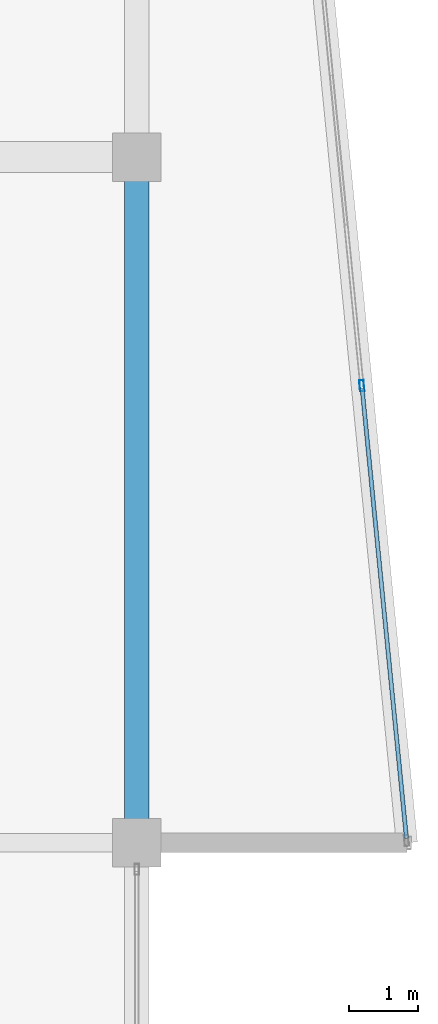
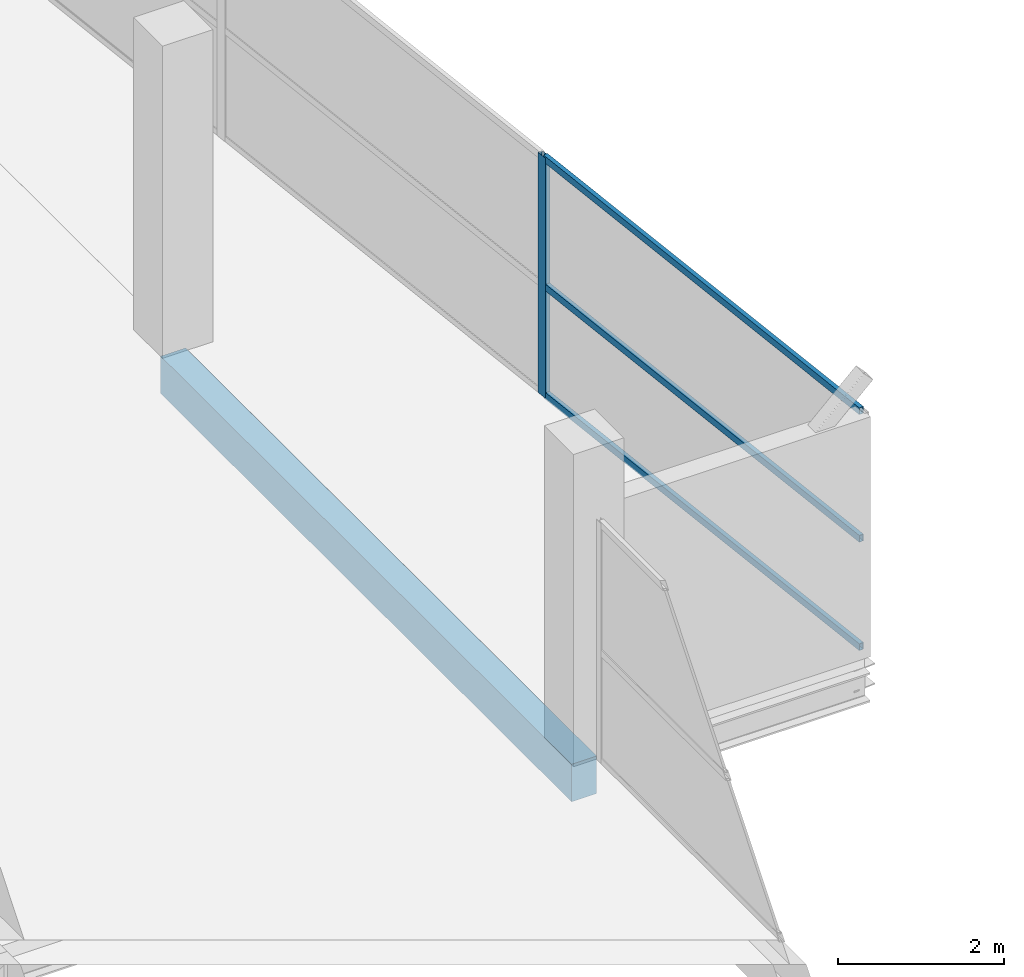
# One storey, part 27 of 55: 4 members, 1 beam, 1 element without a shape of its own.
"""IFC4 building model written with IfcOpenShell, lengths in metres."""

import ifcopenshell
import ifcopenshell.guid

model = None  # the IFC model being written
_history = None  # IfcOwnerHistory: only IFC2X3 demands one
_inside = {}  # id of a spatial element -> (the spatial element, [elements in it])
_under = {}  # id of a project, library or spatial element -> (it, [spatial elements below it])
_declared = {}  # id of a project -> (the project, [libraries it declares])
_typed = {}  # id of a type object -> (the type object, [elements of that type])
_made_of = {}  # id of a material, layer set ... -> (it, [elements and type objects made of it])


def new_model(schema):
    """Start an empty IFC model of exactly this schema.

    Asked for "IFC4X3", IfcOpenShell would pick the latest addendum, in which some entities
    have other attributes; the version numbers below select the first issue.
    IFC2X3 requires an IfcOwnerHistory on every rooted entity: one is made here for all.
    """
    global model, _history
    if schema == "IFC4X3":
        model = ifcopenshell.file(schema_version=(4, 3, 0, 0))
    else:
        model = ifcopenshell.file(schema=schema)
    _inside.clear()
    _under.clear()
    _declared.clear()
    _typed.clear()
    _made_of.clear()
    _history = None
    if model.schema == "IFC2X3":
        org = make("IfcOrganization", Name="unknown")
        user = make(
            "IfcPersonAndOrganization",
            ThePerson=make("IfcPerson", FamilyName="unknown"),
            TheOrganization=org,
        )
        app = make(
            "IfcApplication",
            ApplicationDeveloper=org,
            Version="unknown",
            ApplicationFullName="unknown",
            ApplicationIdentifier="unknown",
        )
        _history = make(
            "IfcOwnerHistory",
            OwningUser=user,
            OwningApplication=app,
            ChangeAction="ADDED",
            CreationDate=0,
        )
    return model


def make(cls, **values):
    """One entity of the class cls with the attributes given. An attribute that is None is left unset."""
    return model.create_entity(
        cls, **{name: value for name, value in values.items() if value is not None}
    )


def rooted(cls, **values):
    """An entity with a GlobalId (a new one), such as an element, a storey or a relation."""
    return make(cls, GlobalId=ifcopenshell.guid.new(), OwnerHistory=_history, **values)


def si_unit(unit_type, name, prefix=None):
    """IfcSIUnit, for example si_unit("LENGTHUNIT", "METRE", prefix="MILLI")."""
    return make("IfcSIUnit", UnitType=unit_type, Prefix=prefix, Name=name)


def assignment(units):
    """IfcUnitAssignment: the units of a project."""
    return None if units is None else make("IfcUnitAssignment", Units=units)


def point(xyz):
    """IfcCartesianPoint."""
    return None if xyz is None else make("IfcCartesianPoint", Coordinates=xyz)


def direction(xyz):
    """IfcDirection."""
    return None if xyz is None else make("IfcDirection", DirectionRatios=xyz)


def frame(location, z_axis=None, x_axis=None):
    """IfcAxis2Placement3D, a coordinate frame: its origin and axes. An axis left out is left unset."""
    return make(
        "IfcAxis2Placement3D",
        Location=point(location),
        Axis=direction(z_axis),
        RefDirection=direction(x_axis),
    )


def frame_2d(location, x_axis=None):
    """IfcAxis2Placement2D, a coordinate frame in the plane: its origin and x axis."""
    return make(
        "IfcAxis2Placement2D", Location=point(location), RefDirection=direction(x_axis)
    )


def origin():
    """The frame at (0, 0, 0) with its axes left unset."""
    return frame((0.0, 0.0, 0.0))


def origin_2d():
    """The frame at (0, 0) in the plane with its x axis left unset."""
    return frame_2d((0.0, 0.0))


def place(relative_to, where):
    """IfcLocalPlacement: puts the frame where relative to a parent placement (None: the world)."""
    return make(
        "IfcLocalPlacement", PlacementRelTo=relative_to, RelativePlacement=where
    )


def context(
    kind, dimensions, precision=None, world=None, true_north=None, identifier=None
):
    """IfcGeometricRepresentationContext, for example the 3D "Model" context."""
    return make(
        "IfcGeometricRepresentationContext",
        ContextIdentifier=identifier,
        ContextType=kind,
        CoordinateSpaceDimension=dimensions,
        Precision=precision,
        WorldCoordinateSystem=world,
        TrueNorth=true_north,
    )


def subcontext(parent, identifier, kind, view, scale=None):
    """IfcGeometricRepresentationSubContext, for example "Body" below "Model"."""
    return make(
        "IfcGeometricRepresentationSubContext",
        ContextIdentifier=identifier,
        ContextType=kind,
        ParentContext=parent,
        TargetScale=scale,
        TargetView=view,
    )


def project(units=None, contexts=None):
    """IfcProject with its units and contexts."""
    return rooted(
        "IfcProject",
        Name="project",
        RepresentationContexts=contexts,
        UnitsInContext=assignment(units),
    )


def spatial(cls, under=None, at=None, **own):
    """A site, building, storey or space (cls), placed at a placement, below another one or the project."""
    s = rooted(cls, ObjectPlacement=at, **own)
    if under is not None:
        _under.setdefault(under.id(), (under, []))[1].append(s)
    return s


def profile(cls, at=None, kind="AREA", **sizes):
    """A parametric profile (cls). Its sizes go by their IFC names, for example OverallWidth=200.0."""
    return make(cls, ProfileType=kind, Position=at, **sizes)


def rectangle(**sizes):
    """IfcRectangleProfileDef."""
    return profile("IfcRectangleProfileDef", **sizes)


def hollow_rectangle(**sizes):
    """IfcRectangleHollowProfileDef."""
    return profile("IfcRectangleHollowProfileDef", **sizes)


def extrude(swept, where, along, depth):
    """IfcExtrudedAreaSolid: the profile swept, set in the frame where, extruded along a direction by depth."""
    return make(
        "IfcExtrudedAreaSolid",
        SweptArea=swept,
        Position=where,
        ExtrudedDirection=direction(along),
        Depth=depth,
    )


def shape(context_of_items, identifier, shape_type, items):
    """IfcShapeRepresentation: the items that make up one representation, for example the "Body"."""
    return make(
        "IfcShapeRepresentation",
        ContextOfItems=context_of_items,
        RepresentationIdentifier=identifier,
        RepresentationType=shape_type,
        Items=items,
    )


def material(Name=None, Category=None):
    """IfcMaterial."""
    return make("IfcMaterial", Name=Name, Category=Category)


def layer(
    of_material, thickness, ventilated=None, Name=None, Category=None, Priority=None
):
    """IfcMaterialLayer: one layer of a wall or slab, of a material (None: an air gap)."""
    return make(
        "IfcMaterialLayer",
        Material=of_material,
        LayerThickness=thickness,
        IsVentilated=ventilated,
        Name=Name,
        Category=Category,
        Priority=Priority,
    )


def layer_set(layers, Name=None):
    """IfcMaterialLayerSet."""
    return make("IfcMaterialLayerSet", MaterialLayers=layers, LayerSetName=Name)


def material_profile(
    of_material, cross_section, Name=None, Category=None, Priority=None
):
    """IfcMaterialProfile: a cross section and its material."""
    return make(
        "IfcMaterialProfile",
        Name=Name,
        Material=of_material,
        Profile=cross_section,
        Priority=Priority,
        Category=Category,
    )


def profile_set(profiles, Name=None, composite=None):
    """IfcMaterialProfileSet."""
    return make(
        "IfcMaterialProfileSet",
        Name=Name,
        MaterialProfiles=profiles,
        CompositeProfile=composite,
    )


def made_of(thing, what):
    """Note that an element or type object is made of a material, layer set ...; save() writes the relation."""
    if what is not None:
        _made_of.setdefault(what.id(), (what, []))[1].append(thing)
    return thing


def type_object(cls, material=None, **own):
    """A type object (cls), such as IfcWallType, which elements share."""
    return made_of(rooted(cls, **own), material)


def element(
    cls,
    number,
    at=None,
    inside=None,
    cuts=None,
    type_object=None,
    material=None,
    context=None,
    identifier="Body",
    shape_type=None,
    held_by="IfcProductDefinitionShape",
    body=None,
    shapes=None,
    **own,
):
    """One element of the class cls, such as IfcWall. Its Tag is "e" and its number.

    at: its placement. inside: the storey or other place that contains it. cuts: it is an
    opening in that element (IfcRelVoidsElement). A single representation is given by context,
    identifier, shape_type and body (its items); several are given by shapes. held_by: the class
    of the entity that holds the representations. save() writes the other relations.
    """
    e = rooted(cls, Tag="e%d" % number, ObjectPlacement=at, **own)
    if body is not None:
        shapes = [shape(context, identifier, shape_type, body)]
    if shapes is not None:
        e.Representation = make(held_by, Representations=shapes)
    if inside is not None:
        _inside.setdefault(inside.id(), (inside, []))[1].append(e)
    if cuts is not None:
        rooted(
            "IfcRelVoidsElement", RelatingBuildingElement=cuts, RelatedOpeningElement=e
        )
    if type_object is not None:
        _typed.setdefault(type_object.id(), (type_object, []))[1].append(e)
    return made_of(e, material)


def aggregate(whole, parts):
    """IfcRelAggregates: a whole, such as a stair, and the parts it consists of."""
    return rooted("IfcRelAggregates", RelatingObject=whole, RelatedObjects=parts)


def save(model, path):
    """Write the relations noted so far, then the file.

    IfcRelAggregates (storeys below a building ...), IfcRelContainedInSpatialStructure (elements
    in a storey), IfcRelDefinesByType, IfcRelAssociatesMaterial and IfcRelDeclares: one each for
    every whole, place, type object, material and project.
    """
    for whole, parts in _under.values():
        aggregate(whole, parts)
    for where, things in _inside.values():
        rooted(
            "IfcRelContainedInSpatialStructure",
            RelatedElements=things,
            RelatingStructure=where,
        )
    for kind, things in _typed.values():
        rooted("IfcRelDefinesByType", RelatedObjects=things, RelatingType=kind)
    for what, things in _made_of.values():
        rooted("IfcRelAssociatesMaterial", RelatedObjects=things, RelatingMaterial=what)
    for by, libraries in _declared.values():
        rooted("IfcRelDeclares", RelatingContext=by, RelatedDefinitions=libraries)
    model.write(path)


model = new_model("IFC4")

# Units and contexts
model_context = context("Model", 3, precision=1e-05, world=origin(), true_north=direction((0.0, 1.0)))
body_context = subcontext(model_context, "Body", "Model", "MODEL_VIEW")
ifc_project = project(units=[si_unit("LENGTHUNIT", "METRE"), si_unit("AREAUNIT", "SQUARE_METRE"), si_unit("VOLUMEUNIT", "CUBIC_METRE"), si_unit("PLANEANGLEUNIT", "RADIAN"), si_unit("MASSUNIT", "GRAM", prefix="KILO")], contexts=[model_context])

# Site, building, storey
site_placement = place(None, origin())
site = spatial("IfcSite", under=ifc_project, at=site_placement, CompositionType="ELEMENT")
building_placement = place(site_placement, origin())
building = spatial("IfcBuilding", under=site, at=building_placement, Name="Sillaruma Civic Art Gallery", CompositionType="ELEMENT")
storey_placement = place(building_placement, frame((0.0, 0.0, 37.739990234375)))
storey = spatial("IfcBuildingStorey", under=building, at=storey_placement, Name="L07", CompositionType="ELEMENT", Elevation=37.739990234375)

# Beam
ifc_material_1 = material(Name="Concrete H35 (35 MPa)", Category="concrete")
ifc_material_profile_1 = material_profile(ifc_material_1, rectangle(XDim=0.35009765625, YDim=0.550048828125, at=origin_2d()), Name="RCB350x550")
ifc_profile_set_1 = profile_set([ifc_material_profile_1], Name="Concrete H35 (35 MPa)")
beam_type = type_object("IfcBeamType", Name="BM-SPANDREL-RCB350x550", PredefinedType="SPANDREL", material=ifc_profile_set_1)
beam_placement = place(storey_placement, frame((114.39990234375, 59.39990234375, -0.514892578125), z_axis=(0.0, 1.0, 0.0), x_axis=(-1.0, 0.0, 0.0)))
element("IfcBeam", 1, at=beam_placement, inside=storey, type_object=beam_type, Name="Beam BS-04 (L06:N:7-8)", PredefinedType="SPANDREL", context=body_context, shape_type="SweptSolid", body=[
    extrude(rectangle(XDim=0.35009765625, YDim=0.550048828125, at=origin_2d()), origin(), (0.0, 0.0, 1.0), 9.900146484375),
])

# Curtain wall, members
ifc_material_2 = material(Name="Thermally Broken Extruded Aluminium 6063-T6", Category="aluminium")
ifc_layer = layer(ifc_material_2, 0.159912109375, Name="Thermally Broken Extruded Aluminium 6063-T6")
ifc_layer_set = layer_set([ifc_layer], Name="Thermally Broken Extruded Aluminium 6063-T6")
curtain_wall_type = type_object("IfcCurtainWallType", Name="CW-UNI-49", PredefinedType="NOTDEFINED", material=ifc_layer_set)
curtain_wall_placement = place(storey_placement, origin())
curtain_wall = element("IfcCurtainWall", 2, at=curtain_wall_placement, inside=storey, type_object=curtain_wall_type, Name="Unitised Curtain Wall CW-49 (CW-PRW-L07-E-ANG)", PredefinedType="NOTDEFINED")
ifc_material_profile_2 = material_profile(ifc_material_2, hollow_rectangle(XDim=0.06494140625, YDim=0.159912109375, WallThickness=0.00390625, at=origin_2d()), Name="CWM65x160")
ifc_profile_set_2 = profile_set([ifc_material_profile_2], Name="Thermally Broken Extruded Aluminium 6063-T6")
member_type_1 = type_object("IfcMemberType", Name="MEM-MUL-CWM65x160", PredefinedType="MULLION", material=ifc_profile_set_2)
member_1_placement = place(storey_placement, frame((117.64990234375, 66.0, 0.0), z_axis=(0.0, 0.0, 1.0), x_axis=(-0.99518536297, -0.098010679679, 0.0)))
member_1 = element("IfcMember", 3, at=member_1_placement, type_object=member_type_1, Name="CW-49 mullion 2", PredefinedType="MULLION", context=body_context, shape_type="SweptSolid", body=[
    extrude(hollow_rectangle(XDim=0.06494140625, YDim=0.159912109375, WallThickness=0.00390625, at=origin_2d()), origin(), (0.0, 0.0, 1.0), 3.530029296875),
])
ifc_material_profile_3 = material_profile(ifc_material_2, hollow_rectangle(XDim=0.06005859375, YDim=0.10009765625, WallThickness=0.003173828125, at=origin_2d()), Name="CWT60x100")
ifc_profile_set_3 = profile_set([ifc_material_profile_3], Name="Thermally Broken Extruded Aluminium 6063-T6")
member_type_2 = type_object("IfcMemberType", Name="MEM-TRN-CWT60x100", PredefinedType="USERDEFINED", material=ifc_profile_set_3)
member_2_placement = place(storey_placement, frame((118.293701171875, 59.464599609375, 0.030029296875), z_axis=(-0.09803506736, 0.995182960851, 0.0), x_axis=(-0.995182960851, -0.09803506736, 0.0)))
member_2 = element("IfcMember", 4, at=member_2_placement, type_object=member_type_2, Name="CW-49 transom 1.1", ObjectType="TRANSOM", PredefinedType="USERDEFINED", context=body_context, shape_type="SweptSolid", body=[
    extrude(hollow_rectangle(XDim=0.06005859375, YDim=0.10009765625, WallThickness=0.003173828125, at=origin_2d()), origin(), (0.0, 0.0, 1.0), 6.53466796875),
])
member_3_placement = place(storey_placement, frame((118.293701171875, 59.464599609375, 1.623779296875), z_axis=(-0.09803506736, 0.995182960851, 0.0), x_axis=(-0.995182960851, -0.09803506736, 0.0)))
member_3 = element("IfcMember", 5, at=member_3_placement, type_object=member_type_2, Name="CW-49 transom 1.2", ObjectType="TRANSOM", PredefinedType="USERDEFINED", context=body_context, shape_type="SweptSolid", body=[
    extrude(hollow_rectangle(XDim=0.06005859375, YDim=0.10009765625, WallThickness=0.003173828125, at=origin_2d()), origin(), (0.0, 0.0, 1.0), 6.53466796875),
])
member_4_placement = place(storey_placement, frame((118.293701171875, 59.464599609375, 3.5), z_axis=(-0.09803506736, 0.995182960851, 0.0), x_axis=(-0.995182960851, -0.09803506736, 0.0)))
member_4 = element("IfcMember", 6, at=member_4_placement, type_object=member_type_2, Name="CW-49 transom 1.3", ObjectType="TRANSOM", PredefinedType="USERDEFINED", context=body_context, shape_type="SweptSolid", body=[
    extrude(hollow_rectangle(XDim=0.06005859375, YDim=0.10009765625, WallThickness=0.003173828125, at=origin_2d()), origin(), (0.0, 0.0, 1.0), 6.53466796875),
])
aggregate(curtain_wall, [member_1, member_2, member_3, member_4])

save(model, "model.ifc")
